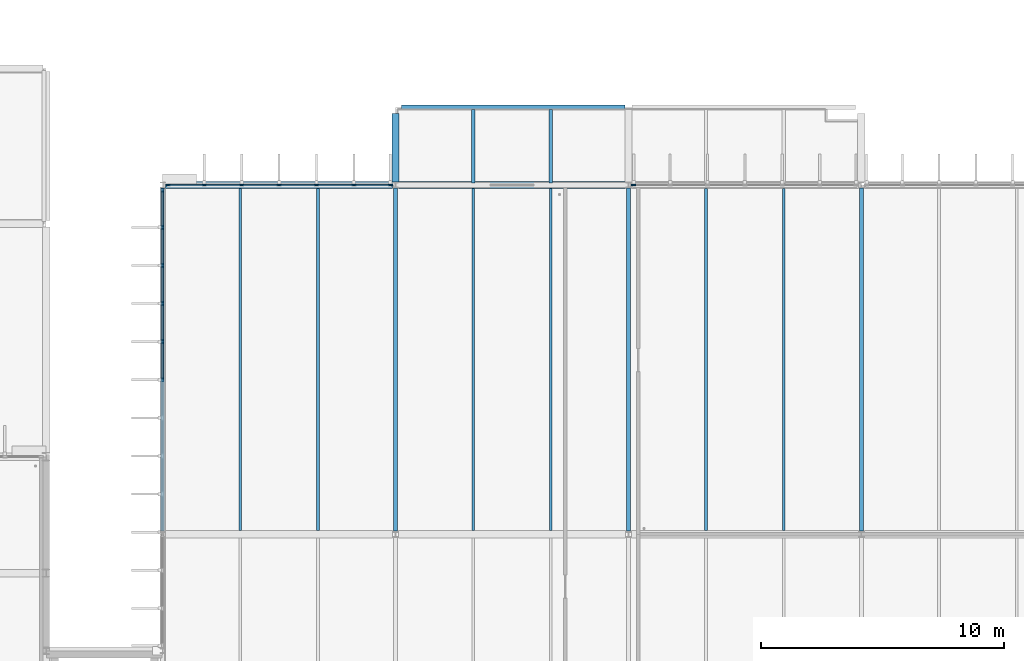
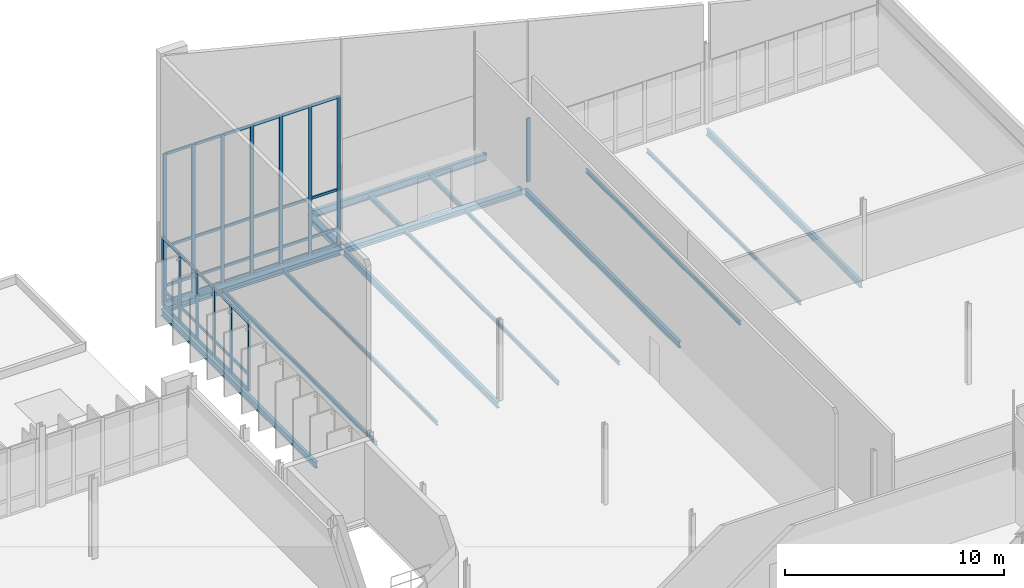
# One storey, part 47 of 110: 53 members, 16 beams, 3 elements without a shape of their own.
"""IFC4 building model written with IfcOpenShell, lengths in metres."""

from ifc_helpers import new_model, si_unit, direction, frame, origin, origin_2d, place, context, subcontext, project, spatial, rectangle, i_section, extrude, material, material_profile, profile_set, type_object, element, aggregate, save


model = new_model("IFC4")

# Units and contexts
model_context = context("Model", 3, precision=1e-05, world=origin(), true_north=direction((0.0, 1.0)))
body_context = subcontext(model_context, "Body", "Model", "MODEL_VIEW")
ifc_project = project(units=[si_unit("LENGTHUNIT", "METRE"), si_unit("AREAUNIT", "SQUARE_METRE"), si_unit("VOLUMEUNIT", "CUBIC_METRE"), si_unit("PLANEANGLEUNIT", "RADIAN"), si_unit("MASSUNIT", "GRAM", prefix="KILO")], contexts=[model_context])

# Site, building, storey
site_placement = place(None, origin())
site = spatial("IfcSite", under=ifc_project, at=site_placement, CompositionType="ELEMENT")
building_placement = place(site_placement, origin())
building = spatial("IfcBuilding", under=site, at=building_placement, Name="Dunescarp Central Library", CompositionType="ELEMENT")
storey_placement = place(building_placement, frame((0.0, 0.0, 9.60009765625)))
storey = spatial("IfcBuildingStorey", under=building, at=storey_placement, Name="L02", CompositionType="ELEMENT", Elevation=9.60009765625)

# Curtain wall, members
ifc_material_1 = material(Name="Marine-grade anodised aluminium 6063-T6", Category="aluminium")
curtain_wall_type = type_object("IfcCurtainWallType", Name="ARC-CW-STICK", PredefinedType="NOTDEFINED", material=ifc_material_1)
curtain_wall_1_placement = place(storey_placement, origin())
curtain_wall_1 = element("IfcCurtainWall", 1, at=curtain_wall_1_placement, inside=storey, type_object=curtain_wall_type, Name="L02 curtain wall CW-V5-166", PredefinedType="NOTDEFINED")
ifc_material_profile_1 = material_profile(ifc_material_1, rectangle(XDim=0.080078125, YDim=0.179931640625, at=origin_2d()), Name="AL 80x180")
ifc_profile_set_1 = profile_set([ifc_material_profile_1], Name="Marine-grade anodised aluminium 6063-T6")
member_type_1 = type_object("IfcMemberType", Name="ARC-CWM-180", PredefinedType="MULLION", material=ifc_profile_set_1)
member_1_placement = place(storey_placement, frame((129.81494140625, 44.800048828125, 0.0), z_axis=(0.0, 0.0, 1.0), x_axis=(0.0, 1.0, 0.0)))
member_1 = element("IfcMember", 2, at=member_1_placement, type_object=member_type_1, Name="CW-V5-166 mullion 1", PredefinedType="MULLION", context=body_context, shape_type="SweptSolid", body=[
    extrude(rectangle(XDim=0.080078125, YDim=0.179931640625, at=origin_2d()), origin(), (0.0, 0.0, 1.0), 8.2998046875),
])
member_2_placement = place(storey_placement, frame((131.316650390625, 44.800048828125, 0.0), z_axis=(0.0, 0.0, 1.0), x_axis=(0.0, 1.0, 0.0)))
member_2 = element("IfcMember", 3, at=member_2_placement, type_object=member_type_1, Name="CW-V5-166 mullion 2", PredefinedType="MULLION", context=body_context, shape_type="SweptSolid", body=[
    extrude(rectangle(XDim=0.080078125, YDim=0.179931640625, at=origin_2d()), origin(), (0.0, 0.0, 1.0), 8.2998046875),
])
member_3_placement = place(storey_placement, frame((132.8583984375, 44.800048828125, 0.0), z_axis=(0.0, 0.0, 1.0), x_axis=(0.0, 1.0, 0.0)))
member_3 = element("IfcMember", 4, at=member_3_placement, type_object=member_type_1, Name="CW-V5-166 mullion 3", PredefinedType="MULLION", context=body_context, shape_type="SweptSolid", body=[
    extrude(rectangle(XDim=0.080078125, YDim=0.179931640625, at=origin_2d()), origin(), (0.0, 0.0, 1.0), 8.2998046875),
])
member_4_placement = place(storey_placement, frame((134.39990234375, 44.800048828125, 0.0), z_axis=(0.0, 0.0, 1.0), x_axis=(0.0, 1.0, 0.0)))
member_4 = element("IfcMember", 5, at=member_4_placement, type_object=member_type_1, Name="CW-V5-166 mullion 4", PredefinedType="MULLION", context=body_context, shape_type="SweptSolid", body=[
    extrude(rectangle(XDim=0.080078125, YDim=0.179931640625, at=origin_2d()), origin(), (0.0, 0.0, 1.0), 8.2998046875),
])
member_5_placement = place(storey_placement, frame((135.941650390625, 44.800048828125, 0.0), z_axis=(0.0, 0.0, 1.0), x_axis=(0.0, 1.0, 0.0)))
member_5 = element("IfcMember", 6, at=member_5_placement, type_object=member_type_1, Name="CW-V5-166 mullion 5", PredefinedType="MULLION", context=body_context, shape_type="SweptSolid", body=[
    extrude(rectangle(XDim=0.080078125, YDim=0.179931640625, at=origin_2d()), origin(), (0.0, 0.0, 1.0), 8.2998046875),
])
member_6_placement = place(storey_placement, frame((137.4833984375, 44.800048828125, 0.0), z_axis=(0.0, 0.0, 1.0), x_axis=(0.0, 1.0, 0.0)))
member_6 = element("IfcMember", 7, at=member_6_placement, type_object=member_type_1, Name="CW-V5-166 mullion 6", PredefinedType="MULLION", context=body_context, shape_type="SweptSolid", body=[
    extrude(rectangle(XDim=0.080078125, YDim=0.179931640625, at=origin_2d()), origin(), (0.0, 0.0, 1.0), 8.2998046875),
])
member_7_placement = place(storey_placement, frame((138.985107421875, 44.800048828125, 0.0), z_axis=(0.0, 0.0, 1.0), x_axis=(0.0, 1.0, 0.0)))
member_7 = element("IfcMember", 8, at=member_7_placement, type_object=member_type_1, Name="CW-V5-166 mullion 7", PredefinedType="MULLION", context=body_context, shape_type="SweptSolid", body=[
    extrude(rectangle(XDim=0.080078125, YDim=0.179931640625, at=origin_2d()), origin(), (0.0, 0.0, 1.0), 8.2998046875),
])

# Curtain wall, member
curtain_wall_2_placement = place(storey_placement, origin())
curtain_wall_2 = element("IfcCurtainWall", 9, at=curtain_wall_2_placement, inside=storey, type_object=curtain_wall_type, Name="L02 curtain wall CW-V5-167", PredefinedType="NOTDEFINED")
member_8_placement = place(storey_placement, frame((149.014892578125, 44.800048828125, 0.0), z_axis=(0.0, 0.0, 1.0), x_axis=(0.0, 1.0, 0.0)))
member_8 = element("IfcMember", 10, at=member_8_placement, type_object=member_type_1, Name="CW-V5-167 mullion 1", PredefinedType="MULLION", context=body_context, shape_type="SweptSolid", body=[
    extrude(rectangle(XDim=0.080078125, YDim=0.179931640625, at=origin_2d()), origin(), (0.0, 0.0, 1.0), 3.5498046875),
])
aggregate(curtain_wall_2, [member_8])

# Curtain wall, members
curtain_wall_3_placement = place(storey_placement, origin())
curtain_wall_3 = element("IfcCurtainWall", 11, at=curtain_wall_3_placement, inside=storey, type_object=curtain_wall_type, Name="L02 curtain wall CW-V5-169", PredefinedType="NOTDEFINED")
member_9_placement = place(storey_placement, frame((129.60009765625, 36.770751953125, 0.0), z_axis=(0.0, 0.0, 1.0), x_axis=(-1.0, 0.0, 0.0)))
member_9 = element("IfcMember", 12, at=member_9_placement, type_object=member_type_1, Name="CW-V5-169 mullion 8", PredefinedType="MULLION", context=body_context, shape_type="SweptSolid", body=[
    extrude(rectangle(XDim=0.080078125, YDim=0.179931640625, at=origin_2d()), origin(), (0.0, 0.0, 1.0), 3.844970703125),
])
member_10_placement = place(storey_placement, frame((129.60009765625, 38.341552734375, 0.0), z_axis=(0.0, 0.0, 1.0), x_axis=(-1.0, 0.0, 0.0)))
member_10 = element("IfcMember", 13, at=member_10_placement, type_object=member_type_1, Name="CW-V5-169 mullion 9", PredefinedType="MULLION", context=body_context, shape_type="SweptSolid", body=[
    extrude(rectangle(XDim=0.080078125, YDim=0.179931640625, at=origin_2d()), origin(), (0.0, 0.0, 1.0), 3.844970703125),
])
member_11_placement = place(storey_placement, frame((129.60009765625, 39.91259765625, 0.0), z_axis=(0.0, 0.0, 1.0), x_axis=(-1.0, 0.0, 0.0)))
member_11 = element("IfcMember", 14, at=member_11_placement, type_object=member_type_1, Name="CW-V5-169 mullion 10", PredefinedType="MULLION", context=body_context, shape_type="SweptSolid", body=[
    extrude(rectangle(XDim=0.080078125, YDim=0.179931640625, at=origin_2d()), origin(), (0.0, 0.0, 1.0), 3.844970703125),
])
member_12_placement = place(storey_placement, frame((129.60009765625, 41.4833984375, 0.0), z_axis=(0.0, 0.0, 1.0), x_axis=(-1.0, 0.0, 0.0)))
member_12 = element("IfcMember", 15, at=member_12_placement, type_object=member_type_1, Name="CW-V5-169 mullion 11", PredefinedType="MULLION", context=body_context, shape_type="SweptSolid", body=[
    extrude(rectangle(XDim=0.080078125, YDim=0.179931640625, at=origin_2d()), origin(), (0.0, 0.0, 1.0), 3.844970703125),
])
member_13_placement = place(storey_placement, frame((129.60009765625, 43.05419921875, 0.0), z_axis=(0.0, 0.0, 1.0), x_axis=(-1.0, 0.0, 0.0)))
member_13 = element("IfcMember", 16, at=member_13_placement, type_object=member_type_1, Name="CW-V5-169 mullion 12", PredefinedType="MULLION", context=body_context, shape_type="SweptSolid", body=[
    extrude(rectangle(XDim=0.080078125, YDim=0.179931640625, at=origin_2d()), origin(), (0.0, 0.0, 1.0), 3.844970703125),
])
member_14_placement = place(storey_placement, frame((129.60009765625, 44.5849609375, 0.0), z_axis=(0.0, 0.0, 1.0), x_axis=(-1.0, 0.0, 0.0)))
member_14 = element("IfcMember", 17, at=member_14_placement, type_object=member_type_1, Name="CW-V5-169 mullion 13", PredefinedType="MULLION", context=body_context, shape_type="SweptSolid", body=[
    extrude(rectangle(XDim=0.080078125, YDim=0.179931640625, at=origin_2d()), origin(), (0.0, 0.0, 1.0), 3.844970703125),
])

# Member
ifc_material_profile_2 = material_profile(ifc_material_1, rectangle(XDim=0.080078125, YDim=0.14990234375, at=origin_2d()), Name="AL 80x150")
ifc_profile_set_2 = profile_set([ifc_material_profile_2], Name="Marine-grade anodised aluminium 6063-T6")
member_type_2 = type_object("IfcMemberType", Name="ARC-CWT-150", PredefinedType="USERDEFINED", material=ifc_profile_set_2)
member_15_placement = place(storey_placement, frame((129.85498046875, 44.800048828125, 0.039794921875), z_axis=(1.0, 0.0, 0.0), x_axis=(0.0, 1.0, 0.0)))
member_15 = element("IfcMember", 18, at=member_15_placement, type_object=member_type_2, Name="CW-V5-166 transom 1.1", ObjectType="TRANSOM", PredefinedType="USERDEFINED", context=body_context, shape_type="SweptSolid", body=[
    extrude(rectangle(XDim=0.080078125, YDim=0.14990234375, at=origin_2d()), origin(), (0.0, 0.0, 1.0), 1.421630859375),
])

member_16_placement = place(storey_placement, frame((129.85498046875, 44.800048828125, 0.89990234375), z_axis=(1.0, 0.0, 0.0), x_axis=(0.0, 1.0, 0.0)))
member_16 = element("IfcMember", 19, at=member_16_placement, type_object=member_type_2, Name="CW-V5-166 transom 1.2", ObjectType="TRANSOM", PredefinedType="USERDEFINED", context=body_context, shape_type="SweptSolid", body=[
    extrude(rectangle(XDim=0.080078125, YDim=0.14990234375, at=origin_2d()), origin(), (0.0, 0.0, 1.0), 1.421630859375),
])

member_17_placement = place(storey_placement, frame((129.85498046875, 44.800048828125, 3.099853515625), z_axis=(1.0, 0.0, 0.0), x_axis=(0.0, 1.0, 0.0)))
member_17 = element("IfcMember", 20, at=member_17_placement, type_object=member_type_2, Name="CW-V5-166 transom 1.3", ObjectType="TRANSOM", PredefinedType="USERDEFINED", context=body_context, shape_type="SweptSolid", body=[
    extrude(rectangle(XDim=0.080078125, YDim=0.14990234375, at=origin_2d()), origin(), (0.0, 0.0, 1.0), 1.421630859375),
])

member_18_placement = place(storey_placement, frame((129.85498046875, 44.800048828125, 8.260009765625), z_axis=(1.0, 0.0, 0.0), x_axis=(0.0, 1.0, 0.0)))
member_18 = element("IfcMember", 21, at=member_18_placement, type_object=member_type_2, Name="CW-V5-166 transom 1.4", ObjectType="TRANSOM", PredefinedType="USERDEFINED", context=body_context, shape_type="SweptSolid", body=[
    extrude(rectangle(XDim=0.080078125, YDim=0.14990234375, at=origin_2d()), origin(), (0.0, 0.0, 1.0), 1.421630859375),
])

member_19_placement = place(storey_placement, frame((131.356689453125, 44.800048828125, 0.039794921875), z_axis=(1.0, 0.0, 0.0), x_axis=(0.0, 1.0, 0.0)))
member_19 = element("IfcMember", 22, at=member_19_placement, type_object=member_type_2, Name="CW-V5-166 transom 2.1", ObjectType="TRANSOM", PredefinedType="USERDEFINED", context=body_context, shape_type="SweptSolid", body=[
    extrude(rectangle(XDim=0.080078125, YDim=0.14990234375, at=origin_2d()), origin(), (0.0, 0.0, 1.0), 1.461669921875),
])

member_20_placement = place(storey_placement, frame((131.356689453125, 44.800048828125, 0.89990234375), z_axis=(1.0, 0.0, 0.0), x_axis=(0.0, 1.0, 0.0)))
member_20 = element("IfcMember", 23, at=member_20_placement, type_object=member_type_2, Name="CW-V5-166 transom 2.2", ObjectType="TRANSOM", PredefinedType="USERDEFINED", context=body_context, shape_type="SweptSolid", body=[
    extrude(rectangle(XDim=0.080078125, YDim=0.14990234375, at=origin_2d()), origin(), (0.0, 0.0, 1.0), 1.461669921875),
])

member_21_placement = place(storey_placement, frame((131.356689453125, 44.800048828125, 3.099853515625), z_axis=(1.0, 0.0, 0.0), x_axis=(0.0, 1.0, 0.0)))
member_21 = element("IfcMember", 24, at=member_21_placement, type_object=member_type_2, Name="CW-V5-166 transom 2.3", ObjectType="TRANSOM", PredefinedType="USERDEFINED", context=body_context, shape_type="SweptSolid", body=[
    extrude(rectangle(XDim=0.080078125, YDim=0.14990234375, at=origin_2d()), origin(), (0.0, 0.0, 1.0), 1.461669921875),
])

member_22_placement = place(storey_placement, frame((131.356689453125, 44.800048828125, 8.260009765625), z_axis=(1.0, 0.0, 0.0), x_axis=(0.0, 1.0, 0.0)))
member_22 = element("IfcMember", 25, at=member_22_placement, type_object=member_type_2, Name="CW-V5-166 transom 2.4", ObjectType="TRANSOM", PredefinedType="USERDEFINED", context=body_context, shape_type="SweptSolid", body=[
    extrude(rectangle(XDim=0.080078125, YDim=0.14990234375, at=origin_2d()), origin(), (0.0, 0.0, 1.0), 1.461669921875),
])

member_23_placement = place(storey_placement, frame((132.8984375, 44.800048828125, 0.039794921875), z_axis=(1.0, 0.0, 0.0), x_axis=(0.0, 1.0, 0.0)))
member_23 = element("IfcMember", 26, at=member_23_placement, type_object=member_type_2, Name="CW-V5-166 transom 3.1", ObjectType="TRANSOM", PredefinedType="USERDEFINED", context=body_context, shape_type="SweptSolid", body=[
    extrude(rectangle(XDim=0.080078125, YDim=0.14990234375, at=origin_2d()), origin(), (0.0, 0.0, 1.0), 1.461669921875),
])

member_24_placement = place(storey_placement, frame((132.8984375, 44.800048828125, 0.89990234375), z_axis=(1.0, 0.0, 0.0), x_axis=(0.0, 1.0, 0.0)))
member_24 = element("IfcMember", 27, at=member_24_placement, type_object=member_type_2, Name="CW-V5-166 transom 3.2", ObjectType="TRANSOM", PredefinedType="USERDEFINED", context=body_context, shape_type="SweptSolid", body=[
    extrude(rectangle(XDim=0.080078125, YDim=0.14990234375, at=origin_2d()), origin(), (0.0, 0.0, 1.0), 1.461669921875),
])

member_25_placement = place(storey_placement, frame((132.8984375, 44.800048828125, 3.099853515625), z_axis=(1.0, 0.0, 0.0), x_axis=(0.0, 1.0, 0.0)))
member_25 = element("IfcMember", 28, at=member_25_placement, type_object=member_type_2, Name="CW-V5-166 transom 3.3", ObjectType="TRANSOM", PredefinedType="USERDEFINED", context=body_context, shape_type="SweptSolid", body=[
    extrude(rectangle(XDim=0.080078125, YDim=0.14990234375, at=origin_2d()), origin(), (0.0, 0.0, 1.0), 1.461669921875),
])

member_26_placement = place(storey_placement, frame((132.8984375, 44.800048828125, 8.260009765625), z_axis=(1.0, 0.0, 0.0), x_axis=(0.0, 1.0, 0.0)))
member_26 = element("IfcMember", 29, at=member_26_placement, type_object=member_type_2, Name="CW-V5-166 transom 3.4", ObjectType="TRANSOM", PredefinedType="USERDEFINED", context=body_context, shape_type="SweptSolid", body=[
    extrude(rectangle(XDim=0.080078125, YDim=0.14990234375, at=origin_2d()), origin(), (0.0, 0.0, 1.0), 1.461669921875),
])

member_27_placement = place(storey_placement, frame((134.43994140625, 44.800048828125, 0.039794921875), z_axis=(1.0, 0.0, 0.0), x_axis=(0.0, 1.0, 0.0)))
member_27 = element("IfcMember", 30, at=member_27_placement, type_object=member_type_2, Name="CW-V5-166 transom 4.1", ObjectType="TRANSOM", PredefinedType="USERDEFINED", context=body_context, shape_type="SweptSolid", body=[
    extrude(rectangle(XDim=0.080078125, YDim=0.14990234375, at=origin_2d()), origin(), (0.0, 0.0, 1.0), 1.461669921875),
])

member_28_placement = place(storey_placement, frame((134.43994140625, 44.800048828125, 0.89990234375), z_axis=(1.0, 0.0, 0.0), x_axis=(0.0, 1.0, 0.0)))
member_28 = element("IfcMember", 31, at=member_28_placement, type_object=member_type_2, Name="CW-V5-166 transom 4.2", ObjectType="TRANSOM", PredefinedType="USERDEFINED", context=body_context, shape_type="SweptSolid", body=[
    extrude(rectangle(XDim=0.080078125, YDim=0.14990234375, at=origin_2d()), origin(), (0.0, 0.0, 1.0), 1.461669921875),
])

member_29_placement = place(storey_placement, frame((134.43994140625, 44.800048828125, 3.099853515625), z_axis=(1.0, 0.0, 0.0), x_axis=(0.0, 1.0, 0.0)))
member_29 = element("IfcMember", 32, at=member_29_placement, type_object=member_type_2, Name="CW-V5-166 transom 4.3", ObjectType="TRANSOM", PredefinedType="USERDEFINED", context=body_context, shape_type="SweptSolid", body=[
    extrude(rectangle(XDim=0.080078125, YDim=0.14990234375, at=origin_2d()), origin(), (0.0, 0.0, 1.0), 1.461669921875),
])

member_30_placement = place(storey_placement, frame((134.43994140625, 44.800048828125, 8.260009765625), z_axis=(1.0, 0.0, 0.0), x_axis=(0.0, 1.0, 0.0)))
member_30 = element("IfcMember", 33, at=member_30_placement, type_object=member_type_2, Name="CW-V5-166 transom 4.4", ObjectType="TRANSOM", PredefinedType="USERDEFINED", context=body_context, shape_type="SweptSolid", body=[
    extrude(rectangle(XDim=0.080078125, YDim=0.14990234375, at=origin_2d()), origin(), (0.0, 0.0, 1.0), 1.461669921875),
])

member_31_placement = place(storey_placement, frame((135.981689453125, 44.800048828125, 0.039794921875), z_axis=(1.0, 0.0, 0.0), x_axis=(0.0, 1.0, 0.0)))
member_31 = element("IfcMember", 34, at=member_31_placement, type_object=member_type_2, Name="CW-V5-166 transom 5.1", ObjectType="TRANSOM", PredefinedType="USERDEFINED", context=body_context, shape_type="SweptSolid", body=[
    extrude(rectangle(XDim=0.080078125, YDim=0.14990234375, at=origin_2d()), origin(), (0.0, 0.0, 1.0), 1.461669921875),
])

member_32_placement = place(storey_placement, frame((135.981689453125, 44.800048828125, 0.89990234375), z_axis=(1.0, 0.0, 0.0), x_axis=(0.0, 1.0, 0.0)))
member_32 = element("IfcMember", 35, at=member_32_placement, type_object=member_type_2, Name="CW-V5-166 transom 5.2", ObjectType="TRANSOM", PredefinedType="USERDEFINED", context=body_context, shape_type="SweptSolid", body=[
    extrude(rectangle(XDim=0.080078125, YDim=0.14990234375, at=origin_2d()), origin(), (0.0, 0.0, 1.0), 1.461669921875),
])

member_33_placement = place(storey_placement, frame((135.981689453125, 44.800048828125, 3.099853515625), z_axis=(1.0, 0.0, 0.0), x_axis=(0.0, 1.0, 0.0)))
member_33 = element("IfcMember", 36, at=member_33_placement, type_object=member_type_2, Name="CW-V5-166 transom 5.3", ObjectType="TRANSOM", PredefinedType="USERDEFINED", context=body_context, shape_type="SweptSolid", body=[
    extrude(rectangle(XDim=0.080078125, YDim=0.14990234375, at=origin_2d()), origin(), (0.0, 0.0, 1.0), 1.461669921875),
])

member_34_placement = place(storey_placement, frame((135.981689453125, 44.800048828125, 8.260009765625), z_axis=(1.0, 0.0, 0.0), x_axis=(0.0, 1.0, 0.0)))
member_34 = element("IfcMember", 37, at=member_34_placement, type_object=member_type_2, Name="CW-V5-166 transom 5.4", ObjectType="TRANSOM", PredefinedType="USERDEFINED", context=body_context, shape_type="SweptSolid", body=[
    extrude(rectangle(XDim=0.080078125, YDim=0.14990234375, at=origin_2d()), origin(), (0.0, 0.0, 1.0), 1.461669921875),
])

member_35_placement = place(storey_placement, frame((137.5234375, 44.800048828125, 0.039794921875), z_axis=(1.0, 0.0, 0.0), x_axis=(0.0, 1.0, 0.0)))
member_35 = element("IfcMember", 38, at=member_35_placement, type_object=member_type_2, Name="CW-V5-166 transom 6.1", ObjectType="TRANSOM", PredefinedType="USERDEFINED", context=body_context, shape_type="SweptSolid", body=[
    extrude(rectangle(XDim=0.080078125, YDim=0.14990234375, at=origin_2d()), origin(), (0.0, 0.0, 1.0), 1.421630859375),
])

member_36_placement = place(storey_placement, frame((137.5234375, 44.800048828125, 0.89990234375), z_axis=(1.0, 0.0, 0.0), x_axis=(0.0, 1.0, 0.0)))
member_36 = element("IfcMember", 39, at=member_36_placement, type_object=member_type_2, Name="CW-V5-166 transom 6.2", ObjectType="TRANSOM", PredefinedType="USERDEFINED", context=body_context, shape_type="SweptSolid", body=[
    extrude(rectangle(XDim=0.080078125, YDim=0.14990234375, at=origin_2d()), origin(), (0.0, 0.0, 1.0), 1.421630859375),
])

member_37_placement = place(storey_placement, frame((137.5234375, 44.800048828125, 3.099853515625), z_axis=(1.0, 0.0, 0.0), x_axis=(0.0, 1.0, 0.0)))
member_37 = element("IfcMember", 40, at=member_37_placement, type_object=member_type_2, Name="CW-V5-166 transom 6.3", ObjectType="TRANSOM", PredefinedType="USERDEFINED", context=body_context, shape_type="SweptSolid", body=[
    extrude(rectangle(XDim=0.080078125, YDim=0.14990234375, at=origin_2d()), origin(), (0.0, 0.0, 1.0), 1.421630859375),
])

member_38_placement = place(storey_placement, frame((137.5234375, 44.800048828125, 8.260009765625), z_axis=(1.0, 0.0, 0.0), x_axis=(0.0, 1.0, 0.0)))
member_38 = element("IfcMember", 41, at=member_38_placement, type_object=member_type_2, Name="CW-V5-166 transom 6.4", ObjectType="TRANSOM", PredefinedType="USERDEFINED", context=body_context, shape_type="SweptSolid", body=[
    extrude(rectangle(XDim=0.080078125, YDim=0.14990234375, at=origin_2d()), origin(), (0.0, 0.0, 1.0), 1.421630859375),
])

aggregate(curtain_wall_1, [member_1, member_2, member_3, member_4, member_5, member_6, member_7, member_15, member_16, member_17, member_18, member_19, member_20, member_21, member_22, member_23, member_24, member_25, member_26, member_27, member_28, member_29, member_30, member_31, member_32, member_33, member_34, member_35, member_36, member_37, member_38])

member_39_placement = place(storey_placement, frame((129.60009765625, 36.810791015625, 0.039794921875), z_axis=(0.0, 1.0, 0.0), x_axis=(-1.0, 0.0, 0.0)))
member_39 = element("IfcMember", 42, at=member_39_placement, type_object=member_type_2, Name="CW-V5-169 transom 8.1", ObjectType="TRANSOM", PredefinedType="USERDEFINED", context=body_context, shape_type="SweptSolid", body=[
    extrude(rectangle(XDim=0.080078125, YDim=0.14990234375, at=origin_2d()), origin(), (0.0, 0.0, 1.0), 1.490966796875),
])

member_40_placement = place(storey_placement, frame((129.60009765625, 36.810791015625, 0.89990234375), z_axis=(0.0, 1.0, 0.0), x_axis=(-1.0, 0.0, 0.0)))
member_40 = element("IfcMember", 43, at=member_40_placement, type_object=member_type_2, Name="CW-V5-169 transom 8.2", ObjectType="TRANSOM", PredefinedType="USERDEFINED", context=body_context, shape_type="SweptSolid", body=[
    extrude(rectangle(XDim=0.080078125, YDim=0.14990234375, at=origin_2d()), origin(), (0.0, 0.0, 1.0), 1.490966796875),
])

member_41_placement = place(storey_placement, frame((129.60009765625, 36.810791015625, 3.804931640625), z_axis=(0.0, 1.0, 0.0), x_axis=(-1.0, 0.0, 0.0)))
member_41 = element("IfcMember", 44, at=member_41_placement, type_object=member_type_2, Name="CW-V5-169 transom 8.3", ObjectType="TRANSOM", PredefinedType="USERDEFINED", context=body_context, shape_type="SweptSolid", body=[
    extrude(rectangle(XDim=0.080078125, YDim=0.14990234375, at=origin_2d()), origin(), (0.0, 0.0, 1.0), 1.490966796875),
])

member_42_placement = place(storey_placement, frame((129.60009765625, 38.381591796875, 0.039794921875), z_axis=(0.0, 1.0, 0.0), x_axis=(-1.0, 0.0, 0.0)))
member_42 = element("IfcMember", 45, at=member_42_placement, type_object=member_type_2, Name="CW-V5-169 transom 9.1", ObjectType="TRANSOM", PredefinedType="USERDEFINED", context=body_context, shape_type="SweptSolid", body=[
    extrude(rectangle(XDim=0.080078125, YDim=0.14990234375, at=origin_2d()), origin(), (0.0, 0.0, 1.0), 1.490966796875),
])

member_43_placement = place(storey_placement, frame((129.60009765625, 38.381591796875, 0.89990234375), z_axis=(0.0, 1.0, 0.0), x_axis=(-1.0, 0.0, 0.0)))
member_43 = element("IfcMember", 46, at=member_43_placement, type_object=member_type_2, Name="CW-V5-169 transom 9.2", ObjectType="TRANSOM", PredefinedType="USERDEFINED", context=body_context, shape_type="SweptSolid", body=[
    extrude(rectangle(XDim=0.080078125, YDim=0.14990234375, at=origin_2d()), origin(), (0.0, 0.0, 1.0), 1.490966796875),
])

member_44_placement = place(storey_placement, frame((129.60009765625, 38.381591796875, 3.804931640625), z_axis=(0.0, 1.0, 0.0), x_axis=(-1.0, 0.0, 0.0)))
member_44 = element("IfcMember", 47, at=member_44_placement, type_object=member_type_2, Name="CW-V5-169 transom 9.3", ObjectType="TRANSOM", PredefinedType="USERDEFINED", context=body_context, shape_type="SweptSolid", body=[
    extrude(rectangle(XDim=0.080078125, YDim=0.14990234375, at=origin_2d()), origin(), (0.0, 0.0, 1.0), 1.490966796875),
])

member_45_placement = place(storey_placement, frame((129.60009765625, 39.952392578125, 0.039794921875), z_axis=(0.0, 1.0, 0.0), x_axis=(-1.0, 0.0, 0.0)))
member_45 = element("IfcMember", 48, at=member_45_placement, type_object=member_type_2, Name="CW-V5-169 transom 10.1", ObjectType="TRANSOM", PredefinedType="USERDEFINED", context=body_context, shape_type="SweptSolid", body=[
    extrude(rectangle(XDim=0.080078125, YDim=0.14990234375, at=origin_2d()), origin(), (0.0, 0.0, 1.0), 1.490966796875),
])

member_46_placement = place(storey_placement, frame((129.60009765625, 39.952392578125, 0.89990234375), z_axis=(0.0, 1.0, 0.0), x_axis=(-1.0, 0.0, 0.0)))
member_46 = element("IfcMember", 49, at=member_46_placement, type_object=member_type_2, Name="CW-V5-169 transom 10.2", ObjectType="TRANSOM", PredefinedType="USERDEFINED", context=body_context, shape_type="SweptSolid", body=[
    extrude(rectangle(XDim=0.080078125, YDim=0.14990234375, at=origin_2d()), origin(), (0.0, 0.0, 1.0), 1.490966796875),
])

member_47_placement = place(storey_placement, frame((129.60009765625, 39.952392578125, 3.804931640625), z_axis=(0.0, 1.0, 0.0), x_axis=(-1.0, 0.0, 0.0)))
member_47 = element("IfcMember", 50, at=member_47_placement, type_object=member_type_2, Name="CW-V5-169 transom 10.3", ObjectType="TRANSOM", PredefinedType="USERDEFINED", context=body_context, shape_type="SweptSolid", body=[
    extrude(rectangle(XDim=0.080078125, YDim=0.14990234375, at=origin_2d()), origin(), (0.0, 0.0, 1.0), 1.490966796875),
])

member_48_placement = place(storey_placement, frame((129.60009765625, 41.5234375, 0.039794921875), z_axis=(0.0, 1.0, 0.0), x_axis=(-1.0, 0.0, 0.0)))
member_48 = element("IfcMember", 51, at=member_48_placement, type_object=member_type_2, Name="CW-V5-169 transom 11.1", ObjectType="TRANSOM", PredefinedType="USERDEFINED", context=body_context, shape_type="SweptSolid", body=[
    extrude(rectangle(XDim=0.080078125, YDim=0.14990234375, at=origin_2d()), origin(), (0.0, 0.0, 1.0), 1.49072265625),
])

member_49_placement = place(storey_placement, frame((129.60009765625, 41.5234375, 0.89990234375), z_axis=(0.0, 1.0, 0.0), x_axis=(-1.0, 0.0, 0.0)))
member_49 = element("IfcMember", 52, at=member_49_placement, type_object=member_type_2, Name="CW-V5-169 transom 11.2", ObjectType="TRANSOM", PredefinedType="USERDEFINED", context=body_context, shape_type="SweptSolid", body=[
    extrude(rectangle(XDim=0.080078125, YDim=0.14990234375, at=origin_2d()), origin(), (0.0, 0.0, 1.0), 1.49072265625),
])

member_50_placement = place(storey_placement, frame((129.60009765625, 41.5234375, 3.804931640625), z_axis=(0.0, 1.0, 0.0), x_axis=(-1.0, 0.0, 0.0)))
member_50 = element("IfcMember", 53, at=member_50_placement, type_object=member_type_2, Name="CW-V5-169 transom 11.3", ObjectType="TRANSOM", PredefinedType="USERDEFINED", context=body_context, shape_type="SweptSolid", body=[
    extrude(rectangle(XDim=0.080078125, YDim=0.14990234375, at=origin_2d()), origin(), (0.0, 0.0, 1.0), 1.49072265625),
])

member_51_placement = place(storey_placement, frame((129.60009765625, 43.09423828125, 0.039794921875), z_axis=(0.0, 1.0, 0.0), x_axis=(-1.0, 0.0, 0.0)))
member_51 = element("IfcMember", 54, at=member_51_placement, type_object=member_type_2, Name="CW-V5-169 transom 12.1", ObjectType="TRANSOM", PredefinedType="USERDEFINED", context=body_context, shape_type="SweptSolid", body=[
    extrude(rectangle(XDim=0.080078125, YDim=0.14990234375, at=origin_2d()), origin(), (0.0, 0.0, 1.0), 1.45068359375),
])

member_52_placement = place(storey_placement, frame((129.60009765625, 43.09423828125, 0.89990234375), z_axis=(0.0, 1.0, 0.0), x_axis=(-1.0, 0.0, 0.0)))
member_52 = element("IfcMember", 55, at=member_52_placement, type_object=member_type_2, Name="CW-V5-169 transom 12.2", ObjectType="TRANSOM", PredefinedType="USERDEFINED", context=body_context, shape_type="SweptSolid", body=[
    extrude(rectangle(XDim=0.080078125, YDim=0.14990234375, at=origin_2d()), origin(), (0.0, 0.0, 1.0), 1.45068359375),
])

member_53_placement = place(storey_placement, frame((129.60009765625, 43.09423828125, 3.804931640625), z_axis=(0.0, 1.0, 0.0), x_axis=(-1.0, 0.0, 0.0)))
member_53 = element("IfcMember", 56, at=member_53_placement, type_object=member_type_2, Name="CW-V5-169 transom 12.3", ObjectType="TRANSOM", PredefinedType="USERDEFINED", context=body_context, shape_type="SweptSolid", body=[
    extrude(rectangle(XDim=0.080078125, YDim=0.14990234375, at=origin_2d()), origin(), (0.0, 0.0, 1.0), 1.45068359375),
])

aggregate(curtain_wall_3, [member_9, member_10, member_11, member_12, member_13, member_14, member_39, member_40, member_41, member_42, member_43, member_44, member_45, member_46, member_47, member_48, member_49, member_50, member_51, member_52, member_53])

# Beams
ifc_material_2 = material(Name="Steel S355JR", Category="steel")
ifc_material_profile_3 = material_profile(ifc_material_2, i_section(OverallWidth=0.300048828125, OverallDepth=0.330078125, WebThickness=0.009521484375, FlangeThickness=0.0166015625, at=origin_2d()), Name="HEA 340")
ifc_profile_set_3 = profile_set([ifc_material_profile_3], Name="Steel S355JR")
beam_type_1 = type_object("IfcBeamType", Name="STR-BM-HEA340", PredefinedType="BEAM", material=ifc_profile_set_3)
beam_1_placement = place(storey_placement, frame((139.199951171875, 44.929931640625, -0.35498046875), z_axis=(0.0, 1.0, 0.0), x_axis=(-1.0, 0.0, 0.0)))
element("IfcBeam", 57, at=beam_1_placement, inside=storey, type_object=beam_type_1, Name="L02 girder BM-L02-1493", PredefinedType="BEAM", context=body_context, shape_type="SweptSolid", body=[
    extrude(i_section(OverallWidth=0.300048828125, OverallDepth=0.330078125, WebThickness=0.009521484375, FlangeThickness=0.0166015625, at=origin_2d()), origin(), (0.0, 0.0, 1.0), 2.822998046875),
])
ifc_material_profile_4 = material_profile(ifc_material_2, i_section(OverallWidth=0.300048828125, OverallDepth=0.320068359375, WebThickness=0.011474609375, FlangeThickness=0.0205078125, at=origin_2d()), Name="HEB 320")
ifc_profile_set_4 = profile_set([ifc_material_profile_4], Name="Steel S355JR")
beam_type_2 = type_object("IfcBeamType", Name="STR-BM-HEB320", PredefinedType="BEAM", material=ifc_profile_set_4)
beam_2_placement = place(storey_placement, frame((129.72607421875, 44.800048828125, -0.3701171875), z_axis=(1.0, 0.0, 0.0), x_axis=(0.0, 1.0, 0.0)))
element("IfcBeam", 58, at=beam_2_placement, inside=storey, type_object=beam_type_2, Name="L02 girder BM-L02-1159", PredefinedType="BEAM", context=body_context, shape_type="SweptSolid", body=[
    extrude(i_section(OverallWidth=0.300048828125, OverallDepth=0.320068359375, WebThickness=0.011474609375, FlangeThickness=0.0205078125, at=origin_2d()), origin(), (0.0, 0.0, 1.0), 9.347900390625),
])
beam_3_placement = place(storey_placement, frame((139.325927734375, 44.800048828125, -0.3701171875), z_axis=(1.0, 0.0, 0.0), x_axis=(0.0, 1.0, 0.0)))
element("IfcBeam", 59, at=beam_3_placement, inside=storey, type_object=beam_type_2, Name="L02 girder BM-L02-1177", PredefinedType="BEAM", context=body_context, shape_type="SweptSolid", body=[
    extrude(i_section(OverallWidth=0.300048828125, OverallDepth=0.320068359375, WebThickness=0.011474609375, FlangeThickness=0.0205078125, at=origin_2d()), origin(), (0.0, 0.0, 1.0), 9.34814453125),
])
ifc_material_profile_5 = material_profile(ifc_material_2, i_section(OverallWidth=0.17138671875, OverallDepth=0.35498046875, WebThickness=0.00732421875, FlangeThickness=0.011474609375, at=origin_2d()), Name="UB 356x171x51")
ifc_profile_set_5 = profile_set([ifc_material_profile_5], Name="Steel S355JR")
beam_type_3 = type_object("IfcBeamType", Name="STR-BM-UB356X51", PredefinedType="BEAM", material=ifc_profile_set_5)
for number, where, z_axis, x_axis, name in (
    (60, (129.60009765625, 30.530029296875, -0.38720703125), (0.0, 1.0, 0.0), (-1.0, 0.0, 0.0), "L02 girder BM-L02-1160"),
    (61, (139.199951171875, 30.530029296875, -0.38720703125), (0.0, 1.0, 0.0), (-1.0, 0.0, 0.0), "L02 girder BM-L02-1161"),
    (62, (148.800048828125, 30.530029296875, -0.38720703125), (0.0, 1.0, 0.0), (-1.0, 0.0, 0.0), "L02 girder BM-L02-1178"),
    (63, (158.39990234375, 30.530029296875, -0.38720703125), (0.0, 1.0, 0.0), (-1.0, 0.0, 0.0), "L02 girder BM-L02-1195"),
):
    element("IfcBeam", number, at=place(storey_placement, frame(where, z_axis=z_axis, x_axis=x_axis)), inside=storey, type_object=beam_type_3, Name=name, PredefinedType="BEAM", context=body_context, shape_type="SweptSolid", body=[
        extrude(i_section(OverallWidth=0.17138671875, OverallDepth=0.35498046875, WebThickness=0.00732421875, FlangeThickness=0.011474609375, at=origin_2d()), origin(), (0.0, 0.0, 1.0), 14.139892578125),
    ])
ifc_material_profile_6 = material_profile(ifc_material_2, i_section(OverallWidth=0.110107421875, OverallDepth=0.219970703125, WebThickness=0.005859375, FlangeThickness=0.00927734375, at=origin_2d()), Name="IPE 220")
ifc_profile_set_6 = profile_set([ifc_material_profile_6], Name="Steel S355JR")
beam_type_4 = type_object("IfcBeamType", Name="STR-JS-IPE220", PredefinedType="JOIST", material=ifc_profile_set_6)
for number, where, z_axis, x_axis, name in (
    (64, (132.800048828125, 30.548095703125, -0.320068359375), (0.0, 1.0, 0.0), (-1.0, 0.0, 0.0), "L02 joist JS-L02-1162"),
    (65, (136.0, 30.548095703125, -0.320068359375), (0.0, 1.0, 0.0), (-1.0, 0.0, 0.0), "L02 joist JS-L02-1163"),
    (66, (142.39990234375, 30.548095703125, -0.320068359375), (0.0, 1.0, 0.0), (-1.0, 0.0, 0.0), "L02 joist JS-L02-1179"),
    (67, (145.60009765625, 30.548095703125, -0.320068359375), (0.0, 1.0, 0.0), (-1.0, 0.0, 0.0), "L02 joist JS-L02-1180"),
    (68, (152.0, 30.548095703125, -0.320068359375), (0.0, 1.0, 0.0), (-1.0, 0.0, 0.0), "L02 joist JS-L02-1196"),
    (69, (155.199951171875, 30.548095703125, -0.320068359375), (0.0, 1.0, 0.0), (-1.0, 0.0, 0.0), "L02 joist JS-L02-1197"),
):
    element("IfcBeam", number, at=place(storey_placement, frame(where, z_axis=z_axis, x_axis=x_axis)), inside=storey, type_object=beam_type_4, Name=name, PredefinedType="JOIST", context=body_context, shape_type="SweptSolid", body=[
        extrude(i_section(OverallWidth=0.110107421875, OverallDepth=0.219970703125, WebThickness=0.005859375, FlangeThickness=0.00927734375, at=origin_2d()), origin(), (0.0, 0.0, 1.0), 14.10400390625),
    ])
ifc_material_profile_7 = material_profile(ifc_material_2, i_section(OverallWidth=0.135009765625, OverallDepth=0.27001953125, WebThickness=0.006591796875, FlangeThickness=0.01025390625, at=origin_2d()), Name="IPE 270")
ifc_profile_set_7 = profile_set([ifc_material_profile_7], Name="Steel S355JR")
beam_type_5 = type_object("IfcBeamType", Name="STR-JS-IPE270", PredefinedType="JOIST", material=ifc_profile_set_7)
for number, where, z_axis, x_axis, name in (
    (70, (142.39990234375, 44.886962890625, -0.3251953125), (0.0, 1.0, 0.0), (-1.0, 0.0, 0.0), "L02 joist JS-L02-1495"),
    (71, (145.60009765625, 44.886962890625, -0.3251953125), (0.0, 1.0, 0.0), (-1.0, 0.0, 0.0), "L02 joist JS-L02-1496"),
):
    element("IfcBeam", number, at=place(storey_placement, frame(where, z_axis=z_axis, x_axis=x_axis)), inside=storey, type_object=beam_type_5, Name=name, PredefinedType="JOIST", context=body_context, shape_type="SweptSolid", body=[
        extrude(i_section(OverallWidth=0.135009765625, OverallDepth=0.27001953125, WebThickness=0.006591796875, FlangeThickness=0.01025390625, at=origin_2d()), origin(), (0.0, 0.0, 1.0), 3.026123046875),
    ])
ifc_material_profile_8 = material_profile(ifc_material_2, i_section(OverallWidth=0.177978515625, OverallDepth=0.406494140625, WebThickness=0.0078125, FlangeThickness=0.0126953125, at=origin_2d()), Name="UB 406x178x60")
ifc_profile_set_8 = profile_set([ifc_material_profile_8], Name="Steel S355JR")
beam_type_6 = type_object("IfcBeamType", Name="STR-SP-UB406", PredefinedType="SPANDREL", material=ifc_profile_set_8)
beam_4_placement = place(storey_placement, frame((139.447021484375, 48.0, -0.39306640625), z_axis=(1.0, 0.0, 0.0), x_axis=(0.0, 1.0, 0.0)))
element("IfcBeam", 72, at=beam_4_placement, inside=storey, type_object=beam_type_6, Name="L02 girder BM-L02-1492", PredefinedType="SPANDREL", context=body_context, shape_type="SweptSolid", body=[
    extrude(i_section(OverallWidth=0.177978515625, OverallDepth=0.406494140625, WebThickness=0.0078125, FlangeThickness=0.0126953125, at=origin_2d()), origin(), (0.0, 0.0, 1.0), 9.2060546875),
])

save(model, "model.ifc")
